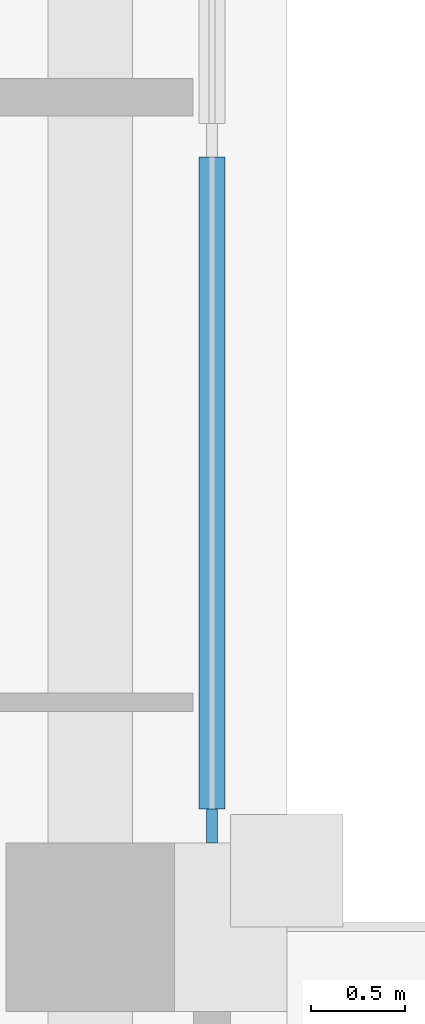
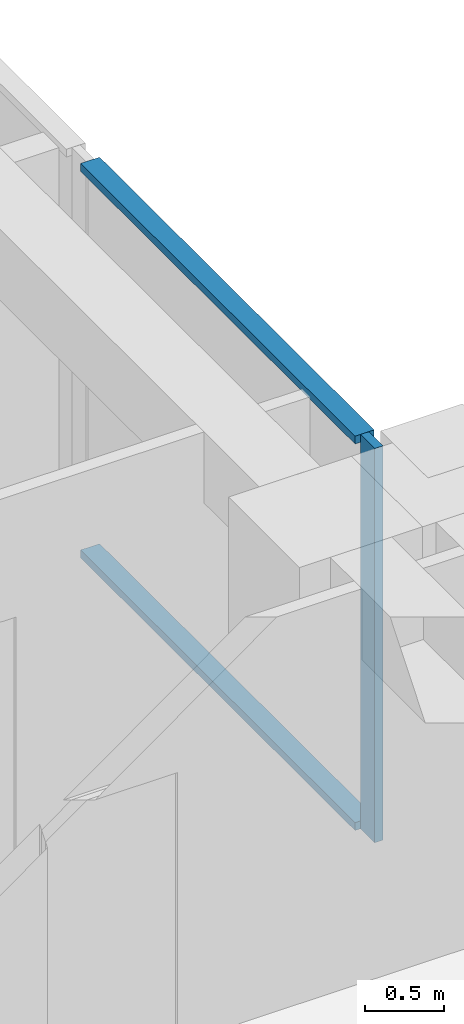
# One storey, part 4 of 17: 3 members, 1 element without a shape of its own.
"""IFC4 building model written with IfcOpenShell, lengths in metres."""

from ifc_helpers import new_model, si_unit, direction, frame, origin, origin_2d, place, context, subcontext, project, spatial, rectangle, extrude, material, material_profile, profile_set, type_object, element, aggregate, save


model = new_model("IFC4")

# Units and contexts
model_context = context("Model", 3, precision=1e-05, world=origin(), true_north=direction((0.0, 1.0)))
body_context = subcontext(model_context, "Body", "Model", "MODEL_VIEW")
ifc_project = project(units=[si_unit("LENGTHUNIT", "METRE"), si_unit("AREAUNIT", "SQUARE_METRE"), si_unit("VOLUMEUNIT", "CUBIC_METRE"), si_unit("PLANEANGLEUNIT", "RADIAN"), si_unit("MASSUNIT", "GRAM", prefix="KILO")], contexts=[model_context])

# Site, building, storey
site_placement = place(None, origin())
site = spatial("IfcSite", under=ifc_project, at=site_placement, CompositionType="ELEMENT")
building_placement = place(site_placement, origin())
building = spatial("IfcBuilding", under=site, at=building_placement, Name="Vermilion Ogive Tower", CompositionType="ELEMENT")
storey_placement = place(building_placement, frame((0.0, 0.0, 244.14990234375)))
storey = spatial("IfcBuildingStorey", under=building, at=storey_placement, Name="L64", CompositionType="ELEMENT", Elevation=244.14990234375)

# Curtain wall, members
ifc_material_1 = material(Name="Low-iron laminated glazing in aluminium frame", Category="aluminium")
curtain_wall_type = type_object("IfcCurtainWallType", Name="Curtain wall CW7", PredefinedType="NOTDEFINED", material=ifc_material_1)
curtain_wall_placement = place(storey_placement, origin())
curtain_wall = element("IfcCurtainWall", 1, at=curtain_wall_placement, inside=storey, type_object=curtain_wall_type, Name="Glazed skin E3", PredefinedType="NOTDEFINED")
ifc_material_2 = material(Name="Aluminium mullion", Category="aluminium")
ifc_material_profile_1 = material_profile(ifc_material_2, rectangle(XDim=0.06005859375, YDim=0.179931640625, at=origin_2d()), Name="AL 60x180")
ifc_profile_set_1 = profile_set([ifc_material_profile_1], Name="Aluminium mullion")
member_type_1 = type_object("IfcMemberType", Name="CW7 mullion 60x180", PredefinedType="MULLION", material=ifc_profile_set_1)
member_1_placement = place(storey_placement, frame((25.85009765625, 4.739990234375, 0.0), z_axis=(0.0, 0.0, 1.0), x_axis=(-1.0, 0.0, 0.0)))
member_1 = element("IfcMember", 2, at=member_1_placement, type_object=member_type_1, Name="CW7-E3 mullion 1", PredefinedType="MULLION", context=body_context, shape_type="SweptSolid", body=[
    extrude(rectangle(XDim=0.06005859375, YDim=0.179931640625, at=origin_2d()), origin(), (0.0, 0.0, 1.0), 3.050048828125),
])
ifc_material_3 = material(Name="Aluminium transom", Category="aluminium")
ifc_material_profile_2 = material_profile(ifc_material_3, rectangle(XDim=0.139892578125, YDim=0.06005859375, at=origin_2d()), Name="AL 60x140")
ifc_profile_set_2 = profile_set([ifc_material_profile_2], Name="Aluminium transom")
member_type_2 = type_object("IfcMemberType", Name="CW7 transom 60x140", PredefinedType="USERDEFINED", material=ifc_profile_set_2)
member_2_placement = place(storey_placement, frame((25.85009765625, 4.830078125, 0.030029296875), z_axis=(0.0, 1.0, 0.0), x_axis=(-1.0, 0.0, 0.0)))
member_2 = element("IfcMember", 3, at=member_2_placement, type_object=member_type_2, Name="CW7-E3 transom 1.1", ObjectType="TRANSOM", PredefinedType="USERDEFINED", context=body_context, shape_type="SweptSolid", body=[
    extrude(rectangle(XDim=0.139892578125, YDim=0.06005859375, at=origin_2d()), origin(), (0.0, 0.0, 1.0), 3.47998046875),
])
member_3_placement = place(storey_placement, frame((25.85009765625, 4.830078125, 3.02001953125), z_axis=(0.0, 1.0, 0.0), x_axis=(-1.0, 0.0, 0.0)))
member_3 = element("IfcMember", 4, at=member_3_placement, type_object=member_type_2, Name="CW7-E3 transom 1.2", ObjectType="TRANSOM", PredefinedType="USERDEFINED", context=body_context, shape_type="SweptSolid", body=[
    extrude(rectangle(XDim=0.139892578125, YDim=0.06005859375, at=origin_2d()), origin(), (0.0, 0.0, 1.0), 3.47998046875),
])
aggregate(curtain_wall, [member_1, member_2, member_3])

save(model, "model.ifc")
